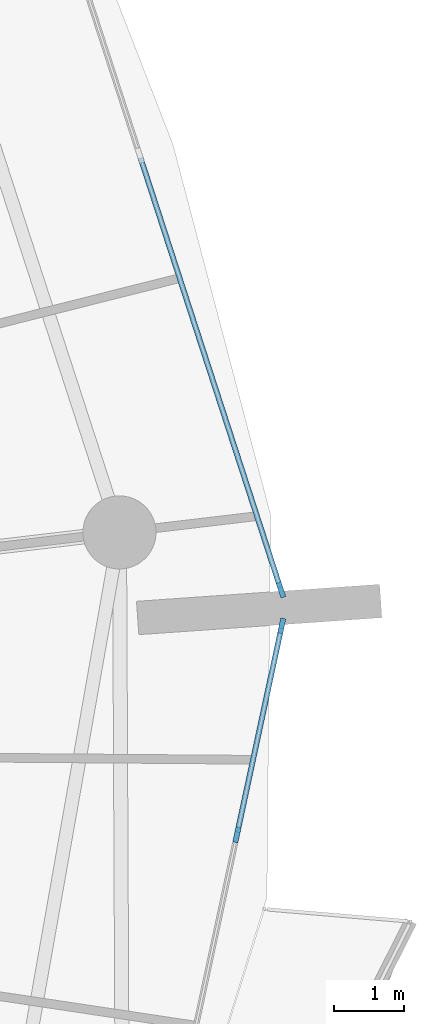
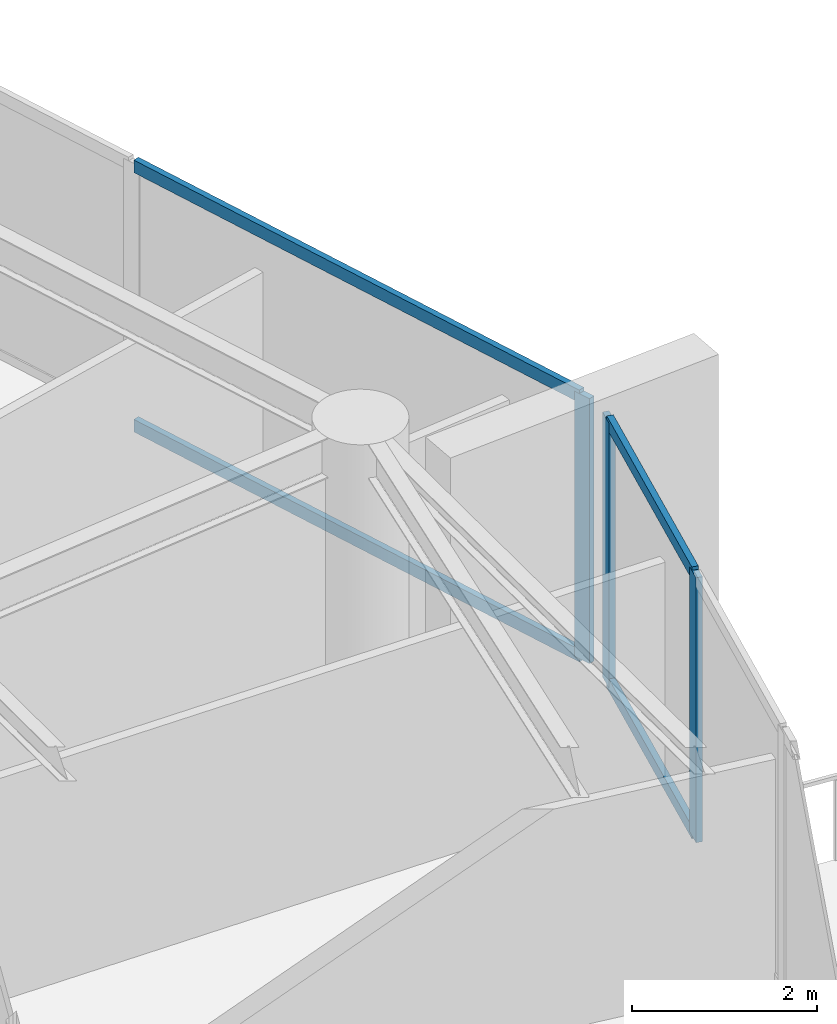
# One storey, part 7 of 20: 7 members, 2 elements without a shape of their own.
"""IFC4 building model written with IfcOpenShell, lengths in metres."""

from ifc_helpers import new_model, si_unit, direction, frame, origin, origin_2d, place, context, subcontext, project, spatial, rectangle, extrude, material, layer, layer_set, material_profile, profile_set, type_object, element, aggregate, save


model = new_model("IFC4")

# Units and contexts
model_context = context("Model", 3, precision=1e-05, world=origin(), true_north=direction((0.0, 1.0)))
body_context = subcontext(model_context, "Body", "Model", "MODEL_VIEW")
ifc_project = project(units=[si_unit("LENGTHUNIT", "METRE"), si_unit("AREAUNIT", "SQUARE_METRE"), si_unit("VOLUMEUNIT", "CUBIC_METRE"), si_unit("PLANEANGLEUNIT", "RADIAN"), si_unit("MASSUNIT", "GRAM", prefix="KILO")], contexts=[model_context])

# Site, building, storey
site_placement = place(None, origin())
site = spatial("IfcSite", under=ifc_project, at=site_placement, CompositionType="ELEMENT")
building_placement = place(site_placement, origin())
building = spatial("IfcBuilding", under=site, at=building_placement, Name="Kazma Halo Residences", CompositionType="ELEMENT")
storey_placement = place(building_placement, frame((0.0, 0.0, 202.800048828125)))
storey = spatial("IfcBuildingStorey", under=building, at=storey_placement, Name="L51", CompositionType="ELEMENT", Elevation=202.800048828125)

# Curtain wall, members
ifc_material_1 = material(Name="Aluminium AW-6063 T6 and Triple-Silver Low-E Glass", Category="aluminium")
ifc_layer = layer(ifc_material_1, 0.219970703125)
ifc_layer_set = layer_set([ifc_layer], Name="Aluminium AW-6063 T6 and Triple-Silver Low-E Glass")
curtain_wall_type = type_object("IfcCurtainWallType", Name="CW-SYS-4", PredefinedType="NOTDEFINED", material=ifc_layer_set)
curtain_wall_1_placement = place(storey_placement, origin())
curtain_wall_1 = element("IfcCurtainWall", 1, at=curtain_wall_1_placement, inside=storey, type_object=curtain_wall_type, Name="L51 unitised curtain wall B15", PredefinedType="NOTDEFINED")
ifc_material_2 = material(Name="Aluminium AW-6063 T6", Category="aluminium")
ifc_material_profile_1 = material_profile(ifc_material_2, rectangle(XDim=0.074951171875, YDim=0.219970703125, at=origin_2d()), Name="CWM-75x220")
ifc_profile_set_1 = profile_set([ifc_material_profile_1], Name="Aluminium AW-6063 T6")
member_type_1 = type_object("IfcMemberType", Name="CW-SYS-4-MUL", PredefinedType="MULLION", material=ifc_profile_set_1)
member_1_placement = place(storey_placement, frame((75.438720703125, 40.704833984375, 0.0), z_axis=(0.0, 0.0, 1.0), x_axis=(-0.977768017212, 0.209689543175, 0.0)))
member_1 = element("IfcMember", 2, at=member_1_placement, type_object=member_type_1, Name="CWS-4 mullion 3", PredefinedType="MULLION", context=body_context, shape_type="SweptSolid", body=[
    extrude(rectangle(XDim=0.074951171875, YDim=0.219970703125, at=origin_2d()), origin(), (0.0, 0.0, 1.0), 3.5),
])
member_2_placement = place(storey_placement, frame((76.082275390625, 43.7060546875, 0.0), z_axis=(0.0, 0.0, 1.0), x_axis=(-0.977768017212, 0.209689543175, 0.0)))
member_2 = element("IfcMember", 3, at=member_2_placement, type_object=member_type_1, Name="CWS-4 mullion 4", PredefinedType="MULLION", context=body_context, shape_type="SweptSolid", body=[
    extrude(rectangle(XDim=0.074951171875, YDim=0.219970703125, at=origin_2d()), origin(), (0.0, 0.0, 1.0), 3.5),
])

# Curtain wall, member
curtain_wall_2_placement = place(storey_placement, origin())
curtain_wall_2 = element("IfcCurtainWall", 4, at=curtain_wall_2_placement, inside=storey, type_object=curtain_wall_type, Name="L51 unitised curtain wall B16", PredefinedType="NOTDEFINED")
member_3_placement = place(storey_placement, frame((76.0712890625, 44.22119140625, 0.0), z_axis=(0.0, 0.0, 1.0), x_axis=(-0.951056893636, -0.309015833038, 0.0)))
member_3 = element("IfcMember", 5, at=member_3_placement, type_object=member_type_1, Name="CWS-4 mullion 1", PredefinedType="MULLION", context=body_context, shape_type="SweptSolid", body=[
    extrude(rectangle(XDim=0.074951171875, YDim=0.219970703125, at=origin_2d()), origin(), (0.0, 0.0, 1.0), 3.5),
])

# Member
ifc_material_profile_2 = material_profile(ifc_material_2, rectangle(XDim=0.074951171875, YDim=0.1650390625, at=origin_2d()), Name="CWT-75x165")
ifc_profile_set_2 = profile_set([ifc_material_profile_2], Name="Aluminium AW-6063 T6")
member_type_2 = type_object("IfcMemberType", Name="CW-SYS-4-TRN", PredefinedType="USERDEFINED", material=ifc_profile_set_2)
member_4_placement = place(storey_placement, frame((75.446533203125, 40.741455078125, 0.037353515625), z_axis=(0.209690551496, 0.97776780097, 0.0), x_axis=(-0.97776780097, 0.209690551496, 0.0)))
member_4 = element("IfcMember", 6, at=member_4_placement, type_object=member_type_2, Name="CWS-4 transom 3.1", ObjectType="TRANSOM", PredefinedType="USERDEFINED", context=body_context, shape_type="SweptSolid", body=[
    extrude(rectangle(XDim=0.074951171875, YDim=0.1650390625, at=origin_2d()), origin(), (0.0, 0.0, 1.0), 2.99462890625),
])

member_5_placement = place(storey_placement, frame((75.446533203125, 40.741455078125, 3.46240234375), z_axis=(0.209690551496, 0.97776780097, 0.0), x_axis=(-0.97776780097, 0.209690551496, 0.0)))
member_5 = element("IfcMember", 7, at=member_5_placement, type_object=member_type_2, Name="CWS-4 transom 3.2", ObjectType="TRANSOM", PredefinedType="USERDEFINED", context=body_context, shape_type="SweptSolid", body=[
    extrude(rectangle(XDim=0.074951171875, YDim=0.1650390625, at=origin_2d()), origin(), (0.0, 0.0, 1.0), 2.99462890625),
])

aggregate(curtain_wall_1, [member_1, member_2, member_4, member_5])

member_6_placement = place(storey_placement, frame((76.0595703125, 44.2568359375, 0.037353515625), z_axis=(-0.30902650142, 0.951053427217, 0.0), x_axis=(-0.951053427217, -0.30902650142, 0.0)))
member_6 = element("IfcMember", 8, at=member_6_placement, type_object=member_type_2, Name="CWS-4 transom 1.1", ObjectType="TRANSOM", PredefinedType="USERDEFINED", context=body_context, shape_type="SweptSolid", body=[
    extrude(rectangle(XDim=0.074951171875, YDim=0.1650390625, at=origin_2d()), origin(), (0.0, 0.0, 1.0), 6.487060546875),
])

member_7_placement = place(storey_placement, frame((76.0595703125, 44.2568359375, 3.46240234375), z_axis=(-0.30902650142, 0.951053427217, 0.0), x_axis=(-0.951053427217, -0.30902650142, 0.0)))
member_7 = element("IfcMember", 9, at=member_7_placement, type_object=member_type_2, Name="CWS-4 transom 1.2", ObjectType="TRANSOM", PredefinedType="USERDEFINED", context=body_context, shape_type="SweptSolid", body=[
    extrude(rectangle(XDim=0.074951171875, YDim=0.1650390625, at=origin_2d()), origin(), (0.0, 0.0, 1.0), 6.487060546875),
])

aggregate(curtain_wall_2, [member_3, member_6, member_7])

save(model, "model.ifc")
